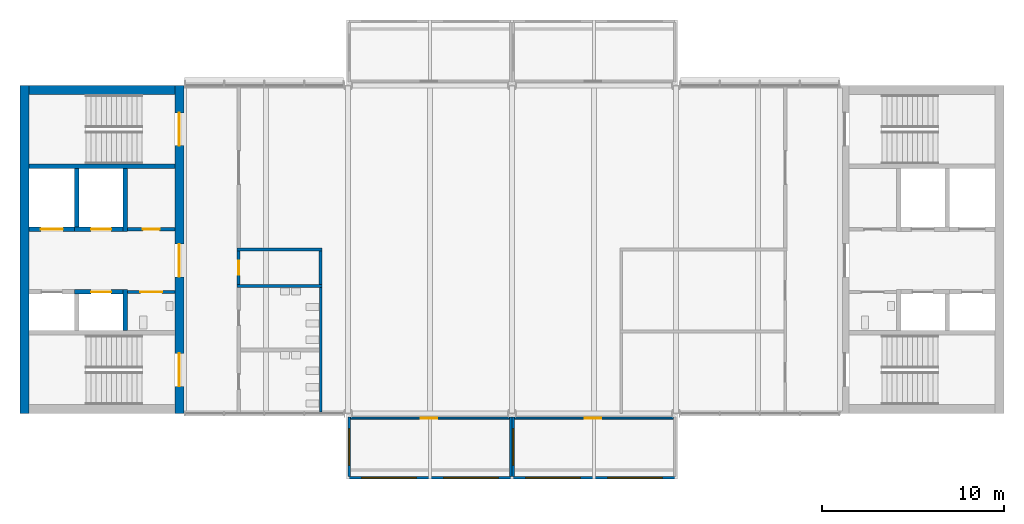
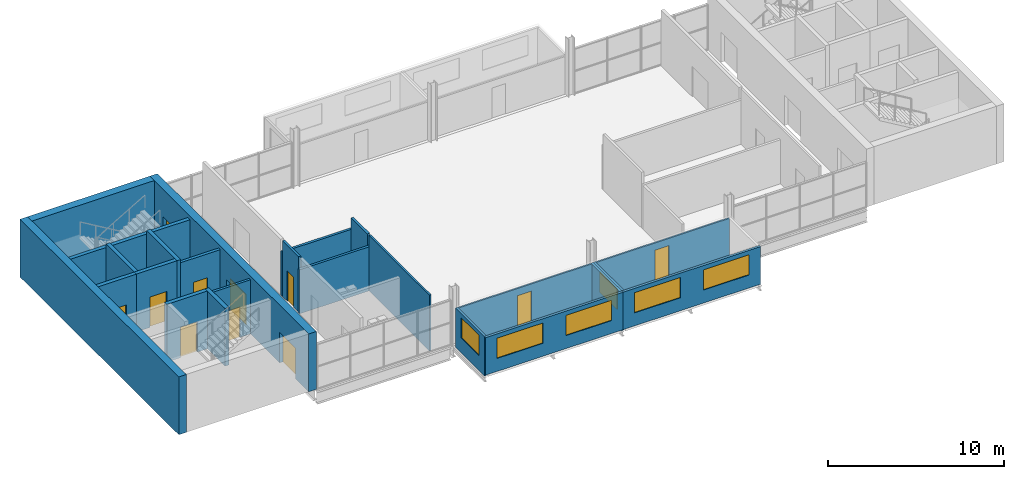
# One storey, part 5 of 10: 24 walls, 11 doors, 6 windows, 17 openings.
"""IFC4 building model written with IfcOpenShell, lengths in metres."""

from ifc_helpers import new_model, si_unit, direction, frame, frame_2d, origin, place, context, subcontext, project, spatial, rectangle, extrude, material, layer, layer_set, type_object, element, fill, save


model = new_model("IFC4")

# Units and contexts
model_context = context("Model", 3, precision=1e-05, world=origin(), true_north=direction((0.0, 1.0)))
body_context = subcontext(model_context, "Body", "Model", "MODEL_VIEW")
ifc_project = project(units=[si_unit("LENGTHUNIT", "METRE"), si_unit("AREAUNIT", "SQUARE_METRE"), si_unit("VOLUMEUNIT", "CUBIC_METRE"), si_unit("PLANEANGLEUNIT", "RADIAN"), si_unit("MASSUNIT", "GRAM", prefix="KILO")], contexts=[model_context])

# Site, building, storey
site_placement = place(None, origin())
site = spatial("IfcSite", under=ifc_project, at=site_placement, CompositionType="ELEMENT")
building_placement = place(site_placement, origin())
building = spatial("IfcBuilding", under=site, at=building_placement, Name="Corbel Yard City Hall", CompositionType="ELEMENT")
storey_placement = place(building_placement, frame((0.0, 0.0, 27.199951171875)))
storey = spatial("IfcBuildingStorey", under=building, at=storey_placement, Name="L06", CompositionType="ELEMENT", Elevation=27.199951171875)

# Walls
ifc_material_1 = material(Name="Concrete N40 (40 MPa)", Category="concrete")
ifc_layer_1 = layer(ifc_material_1, 0.25)
ifc_layer_set_1 = layer_set([ifc_layer_1], Name="Concrete N40 (40 MPa)")
wall_type_1 = type_object("IfcWallType", Name="IW2", PredefinedType="SOLIDWALL", material=ifc_layer_set_1)
wall_1_placement = place(storey_placement, frame((8.5, 112.574951171875, 0.0), z_axis=(0.0, 0.0, 1.0), x_axis=(-1.0, 0.0, 0.0)))
element("IfcWall", 1, at=wall_1_placement, inside=storey, type_object=wall_type_1, Name="Stair enclosure wall", PredefinedType="SOLIDWALL", context=body_context, shape_type="SweptSolid", body=[
    extrude(rectangle(XDim=8.0, YDim=0.25, at=frame_2d((4.0, 0.0))), origin(), (0.0, 0.0, 1.0), 3.75),
])
wall_2_placement = place(storey_placement, frame((5.77490234375, 103.550048828125, 0.0), z_axis=(0.0, 0.0, 1.0), x_axis=(0.0, 1.0, 0.0)))
element("IfcWall", 2, at=wall_2_placement, inside=storey, type_object=wall_type_1, Name="Lift LP22 shaft wall", PredefinedType="SOLIDWALL", context=body_context, shape_type="SweptSolid", body=[
    extrude(rectangle(XDim=2.25, YDim=0.25, at=frame_2d((1.125, 0.0))), origin(), (0.0, 0.0, 1.0), 4.0),
])

# Wall, opening, door
wall_3_placement = place(storey_placement, frame((5.64990234375, 105.675048828125, 0.0), z_axis=(0.0, 0.0, 1.0), x_axis=(-1.0, 0.0, 0.0)))
wall_3 = element("IfcWall", 3, at=wall_3_placement, inside=storey, type_object=wall_type_1, Name="Lift LP22 shaft wall", PredefinedType="SOLIDWALL", context=body_context, shape_type="SweptSolid", body=[
    extrude(rectangle(XDim=2.64990234375, YDim=0.25, at=frame_2d((1.324951171875, 0.0))), origin(), (0.0, 0.0, 1.0), 4.0),
])
opening_1_placement = place(wall_3_placement, frame((0.64990234375, 0.0, 0.0)))
opening_1 = element("IfcOpeningElement", 4, at=opening_1_placement, cuts=wall_3, Name="Opening T1-005", PredefinedType="OPENING", context=body_context, shape_type="SweptSolid", body=[
    extrude(rectangle(XDim=1.10009765625, YDim=2.10009765625, at=frame_2d((0.550048828125, 1.050048828125))), frame((0.0, 0.135009765625, 0.0), z_axis=(0.0, -1.0, 0.0), x_axis=(1.0, 0.0, 0.0)), (0.0, 0.0, 1.0), 0.27001953125),
])
ifc_material_2 = material(Name="Stainless steel Grade 316", Category="steel")
door_type_1 = type_object("IfcDoorType", Name="LD1", OperationType="DOUBLE_DOOR_SLIDING", PredefinedType="DOOR", material=ifc_material_2)
door_1_placement = place(opening_1_placement, origin())
door_1 = element("IfcDoor", 5, at=door_1_placement, inside=storey, type_object=door_type_1, Name="Lift LP22 landing door", OperationType="DOUBLE_DOOR_SLIDING", OverallHeight=2.10009765625, OverallWidth=1.10009765625, PredefinedType="DOOR", context=body_context, shape_type="SweptSolid", body=[
    extrude(rectangle(XDim=1.10009765625, YDim=2.10009765625, at=frame_2d((0.550048828125, 1.050048828125))), frame((0.0, 0.02490234375, 0.0), z_axis=(0.0, -1.0, 0.0), x_axis=(1.0, 0.0, 0.0)), (0.0, 0.0, 1.0), 0.050048828125),
])
fill(opening_1, door_1)

# Walls
wall_4_placement = place(storey_placement, frame((5.77490234375, 109.0, 0.0), z_axis=(0.0, 0.0, 1.0), x_axis=(0.0, 1.0, 0.0)))
element("IfcWall", 6, at=wall_4_placement, inside=storey, type_object=wall_type_1, Name="Lift LP24 shaft wall", PredefinedType="SOLIDWALL", context=body_context, shape_type="SweptSolid", body=[
    extrude(rectangle(XDim=3.449951171875, YDim=0.25, at=frame_2d((1.72509765625, 0.0))), origin(), (0.0, 0.0, 1.0), 4.0),
])
wall_5_placement = place(storey_placement, frame((3.125, 109.25, 0.0), z_axis=(0.0, 0.0, 1.0), x_axis=(0.0, 1.0, 0.0)))
element("IfcWall", 7, at=wall_5_placement, inside=storey, type_object=wall_type_1, Name="Lift LP24 shaft wall", PredefinedType="SOLIDWALL", context=body_context, shape_type="SweptSolid", body=[
    extrude(rectangle(XDim=3.199951171875, YDim=0.25, at=frame_2d((1.60009765625, 0.0))), origin(), (0.0, 0.0, 1.0), 4.0),
])

# Wall, opening, door
wall_6_placement = place(storey_placement, frame((5.64990234375, 109.125, 0.0), z_axis=(0.0, 0.0, 1.0), x_axis=(-1.0, 0.0, 0.0)))
wall_6 = element("IfcWall", 8, at=wall_6_placement, inside=storey, type_object=wall_type_1, Name="Lift LP24 shaft wall", PredefinedType="SOLIDWALL", context=body_context, shape_type="SweptSolid", body=[
    extrude(rectangle(XDim=2.64990234375, YDim=0.25, at=frame_2d((1.324951171875, 0.0))), origin(), (0.0, 0.0, 1.0), 4.0),
])
opening_2_placement = place(wall_6_placement, frame((0.64990234375, 0.0, 0.0)))
opening_2 = element("IfcOpeningElement", 9, at=opening_2_placement, cuts=wall_6, Name="Opening T1-007", PredefinedType="OPENING", context=body_context, shape_type="SweptSolid", body=[
    extrude(rectangle(XDim=1.10009765625, YDim=2.10009765625, at=frame_2d((0.550048828125, 1.050048828125))), frame((0.0, 0.135009765625, 0.0), z_axis=(0.0, -1.0, 0.0), x_axis=(1.0, 0.0, 0.0)), (0.0, 0.0, 1.0), 0.27001953125),
])
door_2_placement = place(opening_2_placement, origin())
door_2 = element("IfcDoor", 10, at=door_2_placement, inside=storey, type_object=door_type_1, Name="Lift LP24 landing door", OperationType="DOUBLE_DOOR_SLIDING", OverallHeight=2.10009765625, OverallWidth=1.10009765625, PredefinedType="DOOR", context=body_context, shape_type="SweptSolid", body=[
    extrude(rectangle(XDim=1.10009765625, YDim=2.10009765625, at=frame_2d((0.550048828125, 1.050048828125))), frame((0.0, 0.02490234375, 0.0), z_axis=(0.0, -1.0, 0.0), x_axis=(1.0, 0.0, 0.0)), (0.0, 0.0, 1.0), 0.050048828125),
])
fill(opening_2, door_2)

wall_7_placement = place(storey_placement, frame((3.0, 109.125, 0.0), z_axis=(0.0, 0.0, 1.0), x_axis=(-1.0, 0.0, 0.0)))
wall_7 = element("IfcWall", 11, at=wall_7_placement, inside=storey, type_object=wall_type_1, Name="Lift LF1 shaft wall", PredefinedType="SOLIDWALL", context=body_context, shape_type="SweptSolid", body=[
    extrude(rectangle(XDim=2.5, YDim=0.25, at=frame_2d((1.25, 0.0))), origin(), (0.0, 0.0, 1.0), 4.0),
])
opening_3_placement = place(wall_7_placement, frame((0.64990234375, 0.0, 0.0)))
opening_3 = element("IfcOpeningElement", 12, at=opening_3_placement, cuts=wall_7, Name="Opening T1-008", PredefinedType="OPENING", context=body_context, shape_type="SweptSolid", body=[
    extrude(rectangle(XDim=1.199951171875, YDim=2.10009765625, at=frame_2d((0.60009765625, 1.050048828125))), frame((0.0, 0.135009765625, 0.0), z_axis=(0.0, -1.0, 0.0), x_axis=(1.0, 0.0, 0.0)), (0.0, 0.0, 1.0), 0.27001953125),
])
door_type_2 = type_object("IfcDoorType", Name="LD2", OperationType="DOUBLE_DOOR_SLIDING", PredefinedType="DOOR", material=ifc_material_2)
door_3_placement = place(opening_3_placement, origin())
door_3 = element("IfcDoor", 13, at=door_3_placement, inside=storey, type_object=door_type_2, Name="Lift LF1 landing door", OperationType="DOUBLE_DOOR_SLIDING", OverallHeight=2.10009765625, OverallWidth=1.199951171875, PredefinedType="DOOR", context=body_context, shape_type="SweptSolid", body=[
    extrude(rectangle(XDim=1.199951171875, YDim=2.10009765625, at=frame_2d((0.60009765625, 1.050048828125))), frame((0.0, 0.02490234375, 0.0), z_axis=(0.0, -1.0, 0.0), x_axis=(1.0, 0.0, 0.0)), (0.0, 0.0, 1.0), 0.050048828125),
])
fill(opening_3, door_3)

# Wall, openings, windows
ifc_material_3 = material(Name="Anodised aluminium", Category="aluminium")
ifc_layer_2 = layer(ifc_material_3, 0.02392578125)
ifc_material_4 = material(Name="Steel Grade G550 (550 MPa yield)", Category="steel")
ifc_layer_3 = layer(ifc_material_4, 0.10009765625)
ifc_material_5 = material(Name="Gypsum plasterboard", Category="gypsum")
ifc_layer_4 = layer(ifc_material_5, 0.02587890625)
ifc_layer_set_2 = layer_set([ifc_layer_2, ifc_layer_3, ifc_layer_4], Name="Steel Grade G550 (550 MPa yield)")
wall_type_2 = type_object("IfcWallType", Name="PD1", PredefinedType="SOLIDWALL", material=ifc_layer_set_2)
wall_8_placement = place(storey_placement, frame((18.0, 95.47509765625, 0.0), z_axis=(0.0, 0.0, 1.0), x_axis=(1.0, 0.0, 0.0)))
wall_8 = element("IfcWall", 14, at=wall_8_placement, inside=storey, type_object=wall_type_2, Name="Pod outer wall L06", PredefinedType="SOLIDWALL", context=body_context, shape_type="SweptSolid", body=[
    extrude(rectangle(XDim=9.0, YDim=0.14990234375, at=frame_2d((4.5, 0.0))), origin(), (0.0, 0.0, 1.0), 2.60009765625),
])
opening_4_placement = place(wall_8_placement, frame((0.75, 0.0, 0.89990234375)))
opening_4 = element("IfcOpeningElement", 15, at=opening_4_placement, cuts=wall_8, Name="Opening WN5", PredefinedType="OPENING", context=body_context, shape_type="SweptSolid", body=[
    extrude(rectangle(XDim=3.0, YDim=1.39990234375, at=frame_2d((1.5, 0.699951171875))), frame((0.0, 0.0849609375, 0.0), z_axis=(0.0, -1.0, 0.0), x_axis=(1.0, 0.0, 0.0)), (0.0, 0.0, 1.0), 0.169921875),
])
opening_5_placement = place(wall_8_placement, frame((5.25, 0.0, 0.89990234375)))
opening_5 = element("IfcOpeningElement", 16, at=opening_5_placement, cuts=wall_8, Name="Opening WN5", PredefinedType="OPENING", context=body_context, shape_type="SweptSolid", body=[
    extrude(rectangle(XDim=3.0, YDim=1.39990234375, at=frame_2d((1.5, 0.699951171875))), frame((0.0, 0.0849609375, 0.0), z_axis=(0.0, -1.0, 0.0), x_axis=(1.0, 0.0, 0.0)), (0.0, 0.0, 1.0), 0.169921875),
])
ifc_material_6 = material(Name="Aluminium frame, double glazed low-e glass", Category="aluminium")
window_type_1 = type_object("IfcWindowType", Name="WN5", PartitioningType="SINGLE_PANEL", PredefinedType="WINDOW", material=ifc_material_6)
window_1_placement = place(opening_4_placement, origin())
window_1 = element("IfcWindow", 17, at=window_1_placement, inside=storey, type_object=window_type_1, Name="Window WN5 L06", OverallHeight=1.39990234375, OverallWidth=3.0, PartitioningType="SINGLE_PANEL", PredefinedType="WINDOW", context=body_context, shape_type="SweptSolid", body=[
    extrude(rectangle(XDim=3.0, YDim=1.39990234375, at=frame_2d((1.5, 0.699951171875))), frame((0.0, 0.030029296875, 0.0), z_axis=(0.0, -1.0, 0.0), x_axis=(1.0, 0.0, 0.0)), (0.0, 0.0, 1.0), 0.06005859375),
])
fill(opening_4, window_1)
window_2_placement = place(opening_5_placement, origin())
window_2 = element("IfcWindow", 18, at=window_2_placement, inside=storey, type_object=window_type_1, Name="Window WN5 L06", OverallHeight=1.39990234375, OverallWidth=3.0, PartitioningType="SINGLE_PANEL", PredefinedType="WINDOW", context=body_context, shape_type="SweptSolid", body=[
    extrude(rectangle(XDim=3.0, YDim=1.39990234375, at=frame_2d((1.5, 0.699951171875))), frame((0.0, 0.030029296875, 0.0), z_axis=(0.0, -1.0, 0.0), x_axis=(1.0, 0.0, 0.0)), (0.0, 0.0, 1.0), 0.06005859375),
])
fill(opening_5, window_2)

wall_9_placement = place(storey_placement, frame((27.0, 95.47509765625, 0.0), z_axis=(0.0, 0.0, 1.0), x_axis=(1.0, 0.0, 0.0)))
wall_9 = element("IfcWall", 19, at=wall_9_placement, inside=storey, type_object=wall_type_2, Name="Pod outer wall L06", PredefinedType="SOLIDWALL", context=body_context, shape_type="SweptSolid", body=[
    extrude(rectangle(XDim=9.0, YDim=0.14990234375, at=frame_2d((4.5, 0.0))), origin(), (0.0, 0.0, 1.0), 2.60009765625),
])
opening_6_placement = place(wall_9_placement, frame((0.75, 0.0, 0.89990234375)))
opening_6 = element("IfcOpeningElement", 20, at=opening_6_placement, cuts=wall_9, Name="Opening WN5", PredefinedType="OPENING", context=body_context, shape_type="SweptSolid", body=[
    extrude(rectangle(XDim=3.0, YDim=1.39990234375, at=frame_2d((1.5, 0.699951171875))), frame((0.0, 0.0849609375, 0.0), z_axis=(0.0, -1.0, 0.0), x_axis=(1.0, 0.0, 0.0)), (0.0, 0.0, 1.0), 0.169921875),
])
opening_7_placement = place(wall_9_placement, frame((5.25, 0.0, 0.89990234375)))
opening_7 = element("IfcOpeningElement", 21, at=opening_7_placement, cuts=wall_9, Name="Opening WN5", PredefinedType="OPENING", context=body_context, shape_type="SweptSolid", body=[
    extrude(rectangle(XDim=3.0, YDim=1.39990234375, at=frame_2d((1.5, 0.699951171875))), frame((0.0, 0.0849609375, 0.0), z_axis=(0.0, -1.0, 0.0), x_axis=(1.0, 0.0, 0.0)), (0.0, 0.0, 1.0), 0.169921875),
])
window_3_placement = place(opening_6_placement, origin())
window_3 = element("IfcWindow", 22, at=window_3_placement, inside=storey, type_object=window_type_1, Name="Window WN5 L06", OverallHeight=1.39990234375, OverallWidth=3.0, PartitioningType="SINGLE_PANEL", PredefinedType="WINDOW", context=body_context, shape_type="SweptSolid", body=[
    extrude(rectangle(XDim=3.0, YDim=1.39990234375, at=frame_2d((1.5, 0.699951171875))), frame((0.0, 0.030029296875, 0.0), z_axis=(0.0, -1.0, 0.0), x_axis=(1.0, 0.0, 0.0)), (0.0, 0.0, 1.0), 0.06005859375),
])
fill(opening_6, window_3)
window_4_placement = place(opening_7_placement, origin())
window_4 = element("IfcWindow", 23, at=window_4_placement, inside=storey, type_object=window_type_1, Name="Window WN5 L06", OverallHeight=1.39990234375, OverallWidth=3.0, PartitioningType="SINGLE_PANEL", PredefinedType="WINDOW", context=body_context, shape_type="SweptSolid", body=[
    extrude(rectangle(XDim=3.0, YDim=1.39990234375, at=frame_2d((1.5, 0.699951171875))), frame((0.0, 0.030029296875, 0.0), z_axis=(0.0, -1.0, 0.0), x_axis=(1.0, 0.0, 0.0)), (0.0, 0.0, 1.0), 0.06005859375),
])
fill(opening_7, window_4)

# Wall, opening, door
ifc_layer_5 = layer(ifc_material_5, 0.01806640625)
ifc_layer_6 = layer(ifc_material_4, 0.06396484375)
ifc_layer_7 = layer(ifc_material_5, 0.01806640625)
ifc_layer_set_3 = layer_set([ifc_layer_5, ifc_layer_6, ifc_layer_7], Name="Steel Grade G550 (550 MPa yield)")
wall_type_3 = type_object("IfcWallType", Name="PD2", PredefinedType="PARTITIONING", material=ifc_layer_set_3)
wall_10_placement = place(storey_placement, frame((18.14990234375, 98.75, 0.0), z_axis=(0.0, 0.0, 1.0), x_axis=(1.0, 0.0, 0.0)))
wall_10 = element("IfcWall", 24, at=wall_10_placement, inside=storey, type_object=wall_type_3, Name="Pod inner wall L06", PredefinedType="PARTITIONING", context=body_context, shape_type="SweptSolid", body=[
    extrude(rectangle(XDim=8.7001953125, YDim=0.10009765625, at=frame_2d((4.35009765625, 0.0))), origin(), (0.0, 0.0, 1.0), 2.60009765625),
])
opening_8_placement = place(wall_10_placement, frame((3.85009765625, 0.0, 0.0)))
opening_8 = element("IfcOpeningElement", 25, at=opening_8_placement, cuts=wall_10, Name="Opening T1-001", PredefinedType="OPENING", context=body_context, shape_type="SweptSolid", body=[
    extrude(rectangle(XDim=0.89990234375, YDim=2.10009765625, at=frame_2d((0.449951171875, 1.050048828125))), frame((0.0, 0.06005859375, 0.0), z_axis=(0.0, -1.0, 0.0), x_axis=(1.0, 0.0, 0.0)), (0.0, 0.0, 1.0), 0.1201171875),
])
ifc_material_7 = material(Name="Timber, solid core", Category="wood")
door_type_3 = type_object("IfcDoorType", Name="XD6", OperationType="SINGLE_SWING_LEFT", PredefinedType="DOOR", material=ifc_material_7)
door_4_placement = place(opening_8_placement, frame((0.89990234375, 0.0, 0.0), z_axis=(0.0, 0.0, 1.0), x_axis=(-1.0, 0.0, 0.0)))
door_4 = element("IfcDoor", 26, at=door_4_placement, inside=storey, type_object=door_type_3, Name="Pod door L06", OperationType="SINGLE_SWING_RIGHT", OverallHeight=2.10009765625, OverallWidth=0.89990234375, PredefinedType="DOOR", context=body_context, shape_type="SweptSolid", body=[
    extrude(rectangle(XDim=0.89990234375, YDim=2.10009765625, at=frame_2d((0.449951171875, 1.050048828125))), frame((0.0, 0.02490234375, 0.0), z_axis=(0.0, -1.0, 0.0), x_axis=(1.0, 0.0, 0.0)), (0.0, 0.0, 1.0), 0.050048828125),
])
fill(opening_8, door_4)

wall_11_placement = place(storey_placement, frame((27.14990234375, 98.75, 0.0), z_axis=(0.0, 0.0, 1.0), x_axis=(1.0, 0.0, 0.0)))
wall_11 = element("IfcWall", 27, at=wall_11_placement, inside=storey, type_object=wall_type_3, Name="Pod inner wall L06", PredefinedType="PARTITIONING", context=body_context, shape_type="SweptSolid", body=[
    extrude(rectangle(XDim=8.7001953125, YDim=0.10009765625, at=frame_2d((4.35009765625, 0.0))), origin(), (0.0, 0.0, 1.0), 2.60009765625),
])
opening_9_placement = place(wall_11_placement, frame((3.85009765625, 0.0, 0.0)))
opening_9 = element("IfcOpeningElement", 28, at=opening_9_placement, cuts=wall_11, Name="Opening T1-002", PredefinedType="OPENING", context=body_context, shape_type="SweptSolid", body=[
    extrude(rectangle(XDim=0.89990234375, YDim=2.10009765625, at=frame_2d((0.449951171875, 1.050048828125))), frame((0.0, 0.06005859375, 0.0), z_axis=(0.0, -1.0, 0.0), x_axis=(1.0, 0.0, 0.0)), (0.0, 0.0, 1.0), 0.1201171875),
])
door_5_placement = place(opening_9_placement, frame((0.89990234375, 0.0, 0.0), z_axis=(0.0, 0.0, 1.0), x_axis=(-1.0, 0.0, 0.0)))
door_5 = element("IfcDoor", 29, at=door_5_placement, inside=storey, type_object=door_type_3, Name="Pod door L06", OperationType="SINGLE_SWING_RIGHT", OverallHeight=2.10009765625, OverallWidth=0.89990234375, PredefinedType="DOOR", context=body_context, shape_type="SweptSolid", body=[
    extrude(rectangle(XDim=0.89990234375, YDim=2.10009765625, at=frame_2d((0.449951171875, 1.050048828125))), frame((0.0, 0.02490234375, 0.0), z_axis=(0.0, -1.0, 0.0), x_axis=(1.0, 0.0, 0.0)), (0.0, 0.0, 1.0), 0.050048828125),
])
fill(opening_9, door_5)

# Wall, opening, window
ifc_layer_8 = layer(ifc_material_3, 0.02392578125)
ifc_layer_9 = layer(ifc_material_4, 0.10009765625)
ifc_layer_10 = layer(ifc_material_5, 0.02587890625)
ifc_layer_set_4 = layer_set([ifc_layer_8, ifc_layer_9, ifc_layer_10], Name="Steel Grade G550 (550 MPa yield)")
wall_type_4 = type_object("IfcWallType", Name="PD3", PredefinedType="SOLIDWALL", material=ifc_layer_set_4)
wall_12_placement = place(storey_placement, frame((18.074951171875, 95.550048828125, -0.14990234375), z_axis=(0.0, 0.0, 1.0), x_axis=(0.0, 1.0, 0.0)))
wall_12 = element("IfcWall", 30, at=wall_12_placement, inside=storey, type_object=wall_type_4, Name="Pod side wall L06", PredefinedType="SOLIDWALL", context=body_context, shape_type="SweptSolid", body=[
    extrude(rectangle(XDim=3.25, YDim=0.14990234375, at=frame_2d((1.625, 0.0))), origin(), (0.0, 0.0, 1.0), 2.75),
])
opening_10_placement = place(wall_12_placement, frame((0.625, 0.0, 1.050048828125)))
opening_10 = element("IfcOpeningElement", 31, at=opening_10_placement, cuts=wall_12, Name="Opening WN6", PredefinedType="OPENING", context=body_context, shape_type="SweptSolid", body=[
    extrude(rectangle(XDim=2.0, YDim=1.39990234375, at=frame_2d((1.0, 0.699951171875))), frame((0.0, 0.0849609375, 0.0), z_axis=(0.0, -1.0, 0.0), x_axis=(1.0, 0.0, 0.0)), (0.0, 0.0, 1.0), 0.169921875),
])
window_type_2 = type_object("IfcWindowType", Name="WN6", PartitioningType="SINGLE_PANEL", PredefinedType="WINDOW", material=ifc_material_6)
window_5_placement = place(opening_10_placement, origin())
window_5 = element("IfcWindow", 32, at=window_5_placement, inside=storey, type_object=window_type_2, Name="Window WN6 L06", OverallHeight=1.39990234375, OverallWidth=2.0, PartitioningType="SINGLE_PANEL", PredefinedType="WINDOW", context=body_context, shape_type="SweptSolid", body=[
    extrude(rectangle(XDim=2.0, YDim=1.39990234375, at=frame_2d((1.0, 0.699951171875))), frame((0.0, 0.030029296875, 0.0), z_axis=(0.0, -1.0, 0.0), x_axis=(1.0, 0.0, 0.0)), (0.0, 0.0, 1.0), 0.06005859375),
])
fill(opening_10, window_5)

# Wall
wall_13_placement = place(storey_placement, frame((26.925048828125, 95.550048828125, -0.14990234375), z_axis=(0.0, 0.0, 1.0), x_axis=(0.0, 1.0, 0.0)))
element("IfcWall", 33, at=wall_13_placement, inside=storey, type_object=wall_type_4, Name="Pod side wall L06", PredefinedType="SOLIDWALL", context=body_context, shape_type="SweptSolid", body=[
    extrude(rectangle(XDim=3.25, YDim=0.14990234375, at=frame_2d((1.625, 0.0))), origin(), (0.0, 0.0, 1.0), 2.75),
])

# Wall, opening, window
wall_14_placement = place(storey_placement, frame((27.074951171875, 95.550048828125, -0.14990234375), z_axis=(0.0, 0.0, 1.0), x_axis=(0.0, 1.0, 0.0)))
wall_14 = element("IfcWall", 34, at=wall_14_placement, inside=storey, type_object=wall_type_4, Name="Pod side wall L06", PredefinedType="SOLIDWALL", context=body_context, shape_type="SweptSolid", body=[
    extrude(rectangle(XDim=3.25, YDim=0.14990234375, at=frame_2d((1.625, 0.0))), origin(), (0.0, 0.0, 1.0), 2.75),
])
opening_11_placement = place(wall_14_placement, frame((0.625, 0.0, 1.050048828125)))
opening_11 = element("IfcOpeningElement", 35, at=opening_11_placement, cuts=wall_14, Name="Opening WN6", PredefinedType="OPENING", context=body_context, shape_type="SweptSolid", body=[
    extrude(rectangle(XDim=2.0, YDim=1.39990234375, at=frame_2d((1.0, 0.699951171875))), frame((0.0, 0.0849609375, 0.0), z_axis=(0.0, -1.0, 0.0), x_axis=(1.0, 0.0, 0.0)), (0.0, 0.0, 1.0), 0.169921875),
])
window_6_placement = place(opening_11_placement, origin())
window_6 = element("IfcWindow", 36, at=window_6_placement, inside=storey, type_object=window_type_2, Name="Window WN6 L06", OverallHeight=1.39990234375, OverallWidth=2.0, PartitioningType="SINGLE_PANEL", PredefinedType="WINDOW", context=body_context, shape_type="SweptSolid", body=[
    extrude(rectangle(XDim=2.0, YDim=1.39990234375, at=frame_2d((1.0, 0.699951171875))), frame((0.0, 0.030029296875, 0.0), z_axis=(0.0, -1.0, 0.0), x_axis=(1.0, 0.0, 0.0)), (0.0, 0.0, 1.0), 0.06005859375),
])
fill(opening_11, window_6)

# Wall
ifc_layer_11 = layer(ifc_material_5, 0.028076171875)
ifc_layer_12 = layer(ifc_material_4, 0.06396484375)
ifc_layer_13 = layer(ifc_material_5, 0.028076171875)
ifc_layer_set_5 = layer_set([ifc_layer_11, ifc_layer_12, ifc_layer_13], Name="Steel Grade G550 (550 MPa yield)")
wall_type_5 = type_object("IfcWallType", Name="PT1", PredefinedType="PARTITIONING", material=ifc_layer_set_5)
wall_15_placement = place(storey_placement, frame((16.5, 99.074951171875, 0.0), z_axis=(0.0, 0.0, 1.0), x_axis=(0.0, 1.0, 0.0)))
element("IfcWall", 37, at=wall_15_placement, inside=storey, type_object=wall_type_5, Name="Partition", PredefinedType="PARTITIONING", context=body_context, shape_type="SweptSolid", body=[
    extrude(rectangle(XDim=6.844970703125, YDim=0.1201171875, at=frame_2d((3.42236328125, 0.0))), origin(), (0.0, 0.0, 1.0), 3.85009765625),
])

# Wall, opening, door
ifc_layer_14 = layer(ifc_material_5, 0.031982421875)
ifc_layer_15 = layer(ifc_material_4, 0.095947265625)
ifc_layer_16 = layer(ifc_material_5, 0.031982421875)
ifc_layer_set_6 = layer_set([ifc_layer_14, ifc_layer_15, ifc_layer_16], Name="Steel Grade G550 (550 MPa yield)")
wall_type_6 = type_object("IfcWallType", Name="PT3", PredefinedType="PARTITIONING", material=ifc_layer_set_6)
wall_16_placement = place(storey_placement, frame((8.5, 105.675048828125, 0.0), z_axis=(0.0, 0.0, 1.0), x_axis=(-1.0, 0.0, 0.0)))
wall_16 = element("IfcWall", 38, at=wall_16_placement, inside=storey, type_object=wall_type_6, Name="Accessible WC wall", PredefinedType="PARTITIONING", context=body_context, shape_type="SweptSolid", body=[
    extrude(rectangle(XDim=2.60009765625, YDim=0.159912109375, at=frame_2d((1.300048828125, 0.0))), origin(), (0.0, 0.0, 1.0), 3.75),
])
opening_12_placement = place(wall_16_placement, frame((0.699951171875, 0.0, 0.0)))
opening_12 = element("IfcOpeningElement", 39, at=opening_12_placement, cuts=wall_16, Name="Opening T1-023", PredefinedType="OPENING", context=body_context, shape_type="SweptSolid", body=[
    extrude(rectangle(XDim=1.199951171875, YDim=2.10009765625, at=frame_2d((0.60009765625, 1.050048828125))), frame((0.0, 0.08984375, 0.0), z_axis=(0.0, -1.0, 0.0), x_axis=(1.0, 0.0, 0.0)), (0.0, 0.0, 1.0), 0.179931640625),
])
ifc_material_8 = material(Name="Steel Grade G250", Category="steel")
door_type_4 = type_object("IfcDoorType", Name="FD7", OperationType="SINGLE_SWING_LEFT", PredefinedType="DOOR", material=ifc_material_8)
door_6_placement = place(opening_12_placement, origin())
door_6 = element("IfcDoor", 40, at=door_6_placement, inside=storey, type_object=door_type_4, Name="Door accessible WC West", OperationType="SINGLE_SWING_LEFT", OverallHeight=2.10009765625, OverallWidth=1.199951171875, PredefinedType="DOOR", context=body_context, shape_type="SweptSolid", body=[
    extrude(rectangle(XDim=1.199951171875, YDim=2.10009765625, at=frame_2d((0.60009765625, 1.050048828125))), frame((0.0, 0.02490234375, 0.0), z_axis=(0.0, -1.0, 0.0), x_axis=(1.0, 0.0, 0.0)), (0.0, 0.0, 1.0), 0.050048828125),
])
fill(opening_12, door_6)

# Walls
for number, where, z_axis, x_axis, name in (
    (41, (11.89990234375, 106.0, 0.0), (0.0, 0.0, 1.0), (1.0, 0.0, 0.0), "Fire-resisting wall"),
    (42, (11.89990234375, 108.0, 0.0), (0.0, 0.0, 1.0), (1.0, 0.0, 0.0), "Fire-resisting wall"),
):
    element("IfcWall", number, at=place(storey_placement, frame(where, z_axis=z_axis, x_axis=x_axis)), inside=storey, type_object=wall_type_6, Name=name, PredefinedType="PARTITIONING", context=body_context, shape_type="SweptSolid", body=[
        extrude(rectangle(XDim=4.68017578125, YDim=0.159912109375, at=frame_2d((2.340087890625, 0.0))), origin(), (0.0, 0.0, 1.0), 3.050048828125),
    ])

# Wall, opening, door
wall_17_placement = place(storey_placement, frame((12.0, 106.080078125, 0.0), z_axis=(0.0, 0.0, 1.0), x_axis=(0.0, 1.0, 0.0)))
wall_17 = element("IfcWall", 43, at=wall_17_placement, inside=storey, type_object=wall_type_6, Name="Fire-resisting wall", PredefinedType="PARTITIONING", context=body_context, shape_type="SweptSolid", body=[
    extrude(rectangle(XDim=1.83984375, YDim=0.159912109375, at=frame_2d((0.919921875, 0.0))), origin(), (0.0, 0.0, 1.0), 3.85009765625),
])
opening_13_placement = place(wall_17_placement, frame((0.544921875, 0.0, 0.0)))
opening_13 = element("IfcOpeningElement", 44, at=opening_13_placement, cuts=wall_17, Name="Opening T1-015", PredefinedType="OPENING", context=body_context, shape_type="SweptSolid", body=[
    extrude(rectangle(XDim=0.75, YDim=2.10009765625, at=frame_2d((0.375, 1.050048828125))), frame((0.0, 0.08984375, 0.0), z_axis=(0.0, -1.0, 0.0), x_axis=(1.0, 0.0, 0.0)), (0.0, 0.0, 1.0), 0.179931640625),
])
door_type_5 = type_object("IfcDoorType", Name="FD42", OperationType="SINGLE_SWING_LEFT", PredefinedType="DOOR", material=ifc_material_8)
door_7_placement = place(opening_13_placement, frame((0.75, 0.0, 0.0), z_axis=(0.0, 0.0, 1.0), x_axis=(-1.0, 0.0, 0.0)))
door_7 = element("IfcDoor", 45, at=door_7_placement, inside=storey, type_object=door_type_5, Name="Door Cleaners' Room 0605", OperationType="SINGLE_SWING_RIGHT", OverallHeight=2.10009765625, OverallWidth=0.75, PredefinedType="DOOR", context=body_context, shape_type="SweptSolid", body=[
    extrude(rectangle(XDim=0.75, YDim=2.10009765625, at=frame_2d((0.375, 1.050048828125))), frame((0.0, 0.02490234375, 0.0), z_axis=(0.0, -1.0, 0.0), x_axis=(1.0, 0.0, 0.0)), (0.0, 0.0, 1.0), 0.050048828125),
])
fill(opening_13, door_7)

# Wall
wall_18_placement = place(storey_placement, frame((16.5, 106.080078125, 0.0), z_axis=(0.0, 0.0, 1.0), x_axis=(0.0, 1.0, 0.0)))
element("IfcWall", 46, at=wall_18_placement, inside=storey, type_object=wall_type_6, Name="Fire-resisting wall", PredefinedType="PARTITIONING", context=body_context, shape_type="SweptSolid", body=[
    extrude(rectangle(XDim=1.83984375, YDim=0.159912109375, at=frame_2d((0.919921875, 0.0))), origin(), (0.0, 0.0, 1.0), 3.85009765625),
])

# Wall, opening, door
ifc_material_9 = material(Name="Concrete block", Category="concrete")
ifc_layer_17 = layer(ifc_material_9, 0.18994140625)
ifc_layer_set_7 = layer_set([ifc_layer_17], Name="Concrete block")
wall_type_7 = type_object("IfcWallType", Name="PT4", PredefinedType="PARTITIONING", material=ifc_layer_set_7)
wall_19_placement = place(storey_placement, frame((8.5, 109.125, 0.0), z_axis=(0.0, 0.0, 1.0), x_axis=(-1.0, 0.0, 0.0)))
wall_19 = element("IfcWall", 47, at=wall_19_placement, inside=storey, type_object=wall_type_7, Name="Riser wall", PredefinedType="PARTITIONING", context=body_context, shape_type="SweptSolid", body=[
    extrude(rectangle(XDim=2.60009765625, YDim=0.18994140625, at=frame_2d((1.300048828125, 0.0))), origin(), (0.0, 0.0, 1.0), 3.75),
])
opening_14_placement = place(wall_19_placement, frame((0.840087890625, 0.0, 0.0)))
opening_14 = element("IfcOpeningElement", 48, at=opening_14_placement, cuts=wall_19, Name="Opening T1-024", PredefinedType="OPENING", context=body_context, shape_type="SweptSolid", body=[
    extrude(rectangle(XDim=0.919921875, YDim=2.10009765625, at=frame_2d((0.4599609375, 1.050048828125))), frame((0.0, 0.10498046875, 0.0), z_axis=(0.0, -1.0, 0.0), x_axis=(1.0, 0.0, 0.0)), (0.0, 0.0, 1.0), 0.2099609375),
])
door_type_6 = type_object("IfcDoorType", Name="FS4", OperationType="SINGLE_SWING_LEFT", PredefinedType="DOOR", material=ifc_material_8)
door_8_placement = place(opening_14_placement, frame((0.919921875, 0.0, 0.0), z_axis=(0.0, 0.0, 1.0), x_axis=(-1.0, 0.0, 0.0)))
door_8 = element("IfcDoor", 49, at=door_8_placement, inside=storey, type_object=door_type_6, Name="Door riser West", OperationType="SINGLE_SWING_RIGHT", OverallHeight=2.10009765625, OverallWidth=0.919921875, PredefinedType="DOOR", context=body_context, shape_type="SweptSolid", body=[
    extrude(rectangle(XDim=0.919921875, YDim=2.10009765625, at=frame_2d((0.4599609375, 1.050048828125))), frame((0.0, 0.02490234375, 0.0), z_axis=(0.0, -1.0, 0.0), x_axis=(1.0, 0.0, 0.0)), (0.0, 0.0, 1.0), 0.050048828125),
])
fill(opening_14, door_8)

# Wall
ifc_material_10 = material(Name="Concrete N50 (50 MPa)", Category="concrete")
ifc_layer_18 = layer(ifc_material_10, 0.5)
ifc_layer_set_8 = layer_set([ifc_layer_18], Name="Concrete N50 (50 MPa)")
wall_type_8 = type_object("IfcWallType", Name="Trunk wall 500", PredefinedType="SHEAR", material=ifc_layer_set_8)
wall_20_placement = place(storey_placement, frame((0.25, 99.0, 0.0), z_axis=(0.0, 0.0, 1.0), x_axis=(0.0, 1.0, 0.0)))
element("IfcWall", 50, at=wall_20_placement, inside=storey, type_object=wall_type_8, Name="Trunk W west wall", PredefinedType="SHEAR", context=body_context, shape_type="SweptSolid", body=[
    extrude(rectangle(XDim=18.0, YDim=0.5, at=frame_2d((9.0, 0.0))), origin(), (0.0, 0.0, 1.0), 4.0),
])

# Wall, openings, doors
wall_21_placement = place(storey_placement, frame((8.75, 99.0, 0.0), z_axis=(0.0, 0.0, 1.0), x_axis=(0.0, 1.0, 0.0)))
wall_21 = element("IfcWall", 51, at=wall_21_placement, inside=storey, type_object=wall_type_8, Name="Trunk W east wall", PredefinedType="SHEAR", context=body_context, shape_type="SweptSolid", body=[
    extrude(rectangle(XDim=18.0, YDim=0.5, at=frame_2d((9.0, 0.0))), origin(), (0.0, 0.0, 1.0), 4.0),
])
opening_15_placement = place(wall_21_placement, frame((1.5, 0.0, 0.0)))
opening_15 = element("IfcOpeningElement", 52, at=opening_15_placement, cuts=wall_21, Name="Opening T1-020", PredefinedType="OPENING", context=body_context, shape_type="SweptSolid", body=[
    extrude(rectangle(XDim=1.800048828125, YDim=2.10009765625, at=frame_2d((0.89990234375, 1.050048828125))), frame((0.0, 0.260009765625, 0.0), z_axis=(0.0, -1.0, 0.0), x_axis=(1.0, 0.0, 0.0)), (0.0, 0.0, 1.0), 0.52001953125),
])
opening_16_placement = place(wall_21_placement, frame((14.699951171875, 0.0, 0.0)))
opening_16 = element("IfcOpeningElement", 53, at=opening_16_placement, cuts=wall_21, Name="Opening T1-021", PredefinedType="OPENING", context=body_context, shape_type="SweptSolid", body=[
    extrude(rectangle(XDim=1.800048828125, YDim=2.10009765625, at=frame_2d((0.89990234375, 1.050048828125))), frame((0.0, 0.260009765625, 0.0), z_axis=(0.0, -1.0, 0.0), x_axis=(1.0, 0.0, 0.0)), (0.0, 0.0, 1.0), 0.52001953125),
])
opening_17_placement = place(wall_21_placement, frame((7.5, 0.0, 0.0)))
opening_17 = element("IfcOpeningElement", 54, at=opening_17_placement, cuts=wall_21, Name="Opening T1-022", PredefinedType="OPENING", context=body_context, shape_type="SweptSolid", body=[
    extrude(rectangle(XDim=1.800048828125, YDim=2.10009765625, at=frame_2d((0.89990234375, 1.050048828125))), frame((0.0, 0.260009765625, 0.0), z_axis=(0.0, -1.0, 0.0), x_axis=(1.0, 0.0, 0.0)), (0.0, 0.0, 1.0), 0.52001953125),
])
door_type_7 = type_object("IfcDoorType", Name="FS3", OperationType="DOUBLE_DOOR_SINGLE_SWING", PredefinedType="DOOR", material=ifc_material_8)
door_9_placement = place(opening_15_placement, origin())
door_9 = element("IfcDoor", 55, at=door_9_placement, inside=storey, type_object=door_type_7, Name="Door ST-W1", OperationType="DOUBLE_DOOR_SINGLE_SWING", OverallHeight=2.10009765625, OverallWidth=1.800048828125, PredefinedType="DOOR", context=body_context, shape_type="SweptSolid", body=[
    extrude(rectangle(XDim=1.800048828125, YDim=2.10009765625, at=frame_2d((0.89990234375, 1.050048828125))), frame((0.0, 0.02490234375, 0.0), z_axis=(0.0, -1.0, 0.0), x_axis=(1.0, 0.0, 0.0)), (0.0, 0.0, 1.0), 0.050048828125),
])
fill(opening_15, door_9)
door_10_placement = place(opening_16_placement, origin())
door_10 = element("IfcDoor", 56, at=door_10_placement, inside=storey, type_object=door_type_7, Name="Door ST-W2", OperationType="DOUBLE_DOOR_SINGLE_SWING", OverallHeight=2.10009765625, OverallWidth=1.800048828125, PredefinedType="DOOR", context=body_context, shape_type="SweptSolid", body=[
    extrude(rectangle(XDim=1.800048828125, YDim=2.10009765625, at=frame_2d((0.89990234375, 1.050048828125))), frame((0.0, 0.02490234375, 0.0), z_axis=(0.0, -1.0, 0.0), x_axis=(1.0, 0.0, 0.0)), (0.0, 0.0, 1.0), 0.050048828125),
])
fill(opening_16, door_10)
door_11_placement = place(opening_17_placement, origin())
door_11 = element("IfcDoor", 57, at=door_11_placement, inside=storey, type_object=door_type_7, Name="Door lift lobby West", OperationType="DOUBLE_DOOR_SINGLE_SWING", OverallHeight=2.10009765625, OverallWidth=1.800048828125, PredefinedType="DOOR", context=body_context, shape_type="SweptSolid", body=[
    extrude(rectangle(XDim=1.800048828125, YDim=2.10009765625, at=frame_2d((0.89990234375, 1.050048828125))), frame((0.0, 0.02490234375, 0.0), z_axis=(0.0, -1.0, 0.0), x_axis=(1.0, 0.0, 0.0)), (0.0, 0.0, 1.0), 0.050048828125),
])
fill(opening_17, door_11)

# Wall
wall_22_placement = place(storey_placement, frame((0.5, 116.75, 0.0), z_axis=(0.0, 0.0, 1.0), x_axis=(1.0, 0.0, 0.0)))
element("IfcWall", 58, at=wall_22_placement, inside=storey, type_object=wall_type_8, Name="Trunk W north wall", PredefinedType="SHEAR", context=body_context, shape_type="SweptSolid", body=[
    extrude(rectangle(XDim=8.0, YDim=0.5, at=frame_2d((4.0, 0.0))), origin(), (0.0, 0.0, 1.0), 4.0),
])

save(model, "model.ifc")
